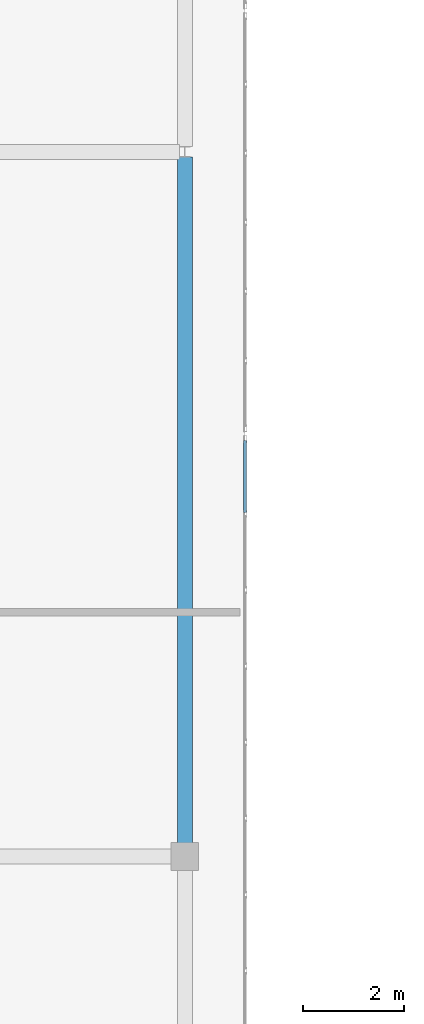
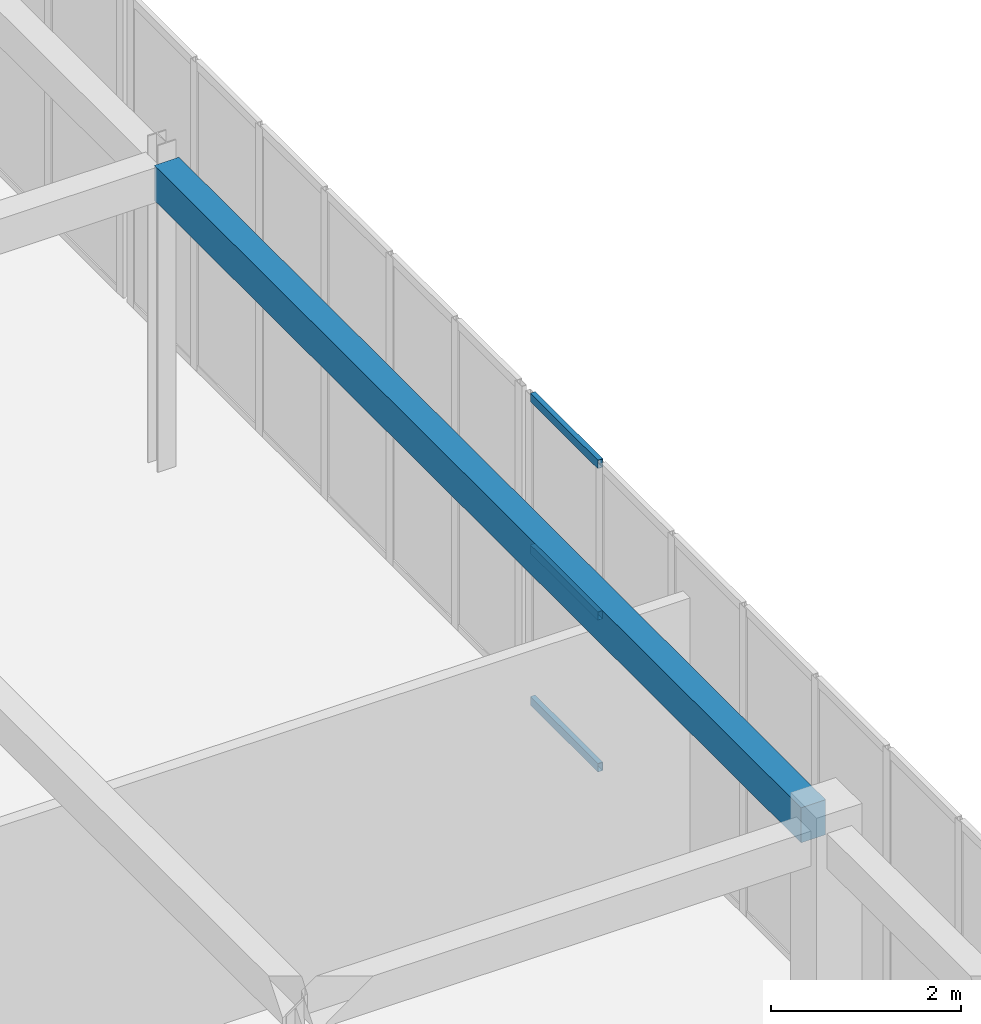
# One storey, part 74 of 140: 3 members, 1 beam, 1 element without a shape of its own.
"""IFC4 building model written with IfcOpenShell, lengths in metres."""

from ifc_helpers import new_model, si_unit, direction, frame, origin, origin_2d, place, context, subcontext, project, spatial, rectangle, hollow_rectangle, extrude, material, layer, layer_set, material_profile, profile_set, type_object, element, aggregate, save


model = new_model("IFC4")

# Units and contexts
model_context = context("Model", 3, precision=1e-05, world=origin(), true_north=direction((0.0, 1.0)))
body_context = subcontext(model_context, "Body", "Model", "MODEL_VIEW")
ifc_project = project(units=[si_unit("LENGTHUNIT", "METRE"), si_unit("AREAUNIT", "SQUARE_METRE"), si_unit("VOLUMEUNIT", "CUBIC_METRE"), si_unit("PLANEANGLEUNIT", "RADIAN"), si_unit("MASSUNIT", "GRAM", prefix="KILO")], contexts=[model_context])

# Site, building, storey
site_placement = place(None, origin())
site = spatial("IfcSite", under=ifc_project, at=site_placement, CompositionType="ELEMENT")
building_placement = place(site_placement, origin())
building = spatial("IfcBuilding", under=site, at=building_placement, Name="Trelvath General Hospital", CompositionType="ELEMENT")
storey_placement = place(building_placement, frame((0.0, 0.0, 16.199951171875)))
storey = spatial("IfcBuildingStorey", under=building, at=storey_placement, Name="L04", CompositionType="ELEMENT", Elevation=16.199951171875)

# Beam
ifc_material_1 = material(Name="Concrete C35/45", Category="concrete")
ifc_material_profile_1 = material_profile(ifc_material_1, rectangle(XDim=0.300048828125, YDim=0.449951171875, at=origin_2d()), Name="RCB300x450")
ifc_profile_set_1 = profile_set([ifc_material_profile_1], Name="Concrete C35/45")
beam_type = type_object("IfcBeamType", Name="Beam RC300x450", PredefinedType="BEAM", material=ifc_profile_set_1)
beam_placement = place(storey_placement, frame((113.60009765625, 59.071044921875, 3.735107421875), z_axis=(0.0, 1.0, 0.0), x_axis=(-1.0, 0.0, 0.0)))
element("IfcBeam", 1, at=beam_placement, inside=storey, type_object=beam_type, Name="Cube Interior Ring Beam CUBE-E-T1 L04", PredefinedType="BEAM", context=body_context, shape_type="SweptSolid", body=[
    extrude(rectangle(XDim=0.300048828125, YDim=0.449951171875, at=origin_2d()), origin(), (0.0, 0.0, 1.0), 13.623046875),
])

# Curtain wall, members
ifc_material_2 = material(Name="Anodised aluminium and low-E glass", Category="aluminium")
ifc_layer = layer(ifc_material_2, 0.139892578125)
ifc_layer_set = layer_set([ifc_layer], Name="Anodised aluminium and low-E glass")
curtain_wall_type = type_object("IfcCurtainWallType", Name="CW CrystalCube 1664 396 14", PredefinedType="USERDEFINED", material=ifc_layer_set)
curtain_wall_placement = place(storey_placement, origin())
curtain_wall = element("IfcCurtainWall", 2, at=curtain_wall_placement, inside=storey, type_object=curtain_wall_type, Name="Crystal Cube Curtain Wall CUBE-E-T1 E3 L04", ObjectType="Unitised Glazed Curtain Wall", PredefinedType="USERDEFINED")
ifc_material_3 = material(Name="Anodised aluminium", Category="aluminium")
ifc_material_profile_2 = material_profile(ifc_material_3, hollow_rectangle(XDim=0.06005859375, YDim=0.110107421875, WallThickness=0.00390625, at=origin_2d()), Name="RHS60x110x4")
ifc_profile_set_2 = profile_set([ifc_material_profile_2], Name="Anodised aluminium")
member_type = type_object("IfcMemberType", Name="CurtainTransom 60x110", PredefinedType="USERDEFINED", material=ifc_profile_set_2)
member_1_placement = place(storey_placement, frame((114.800048828125, 67.06005859375, 0.030029296875), z_axis=(0.0, -1.0, 0.0), x_axis=(1.0, 0.0, 0.0)))
member_1 = element("IfcMember", 3, at=member_1_placement, type_object=member_type, Name="CW-291 transom 1.1", ObjectType="TRANSOM", PredefinedType="USERDEFINED", context=body_context, shape_type="SweptSolid", body=[
    extrude(hollow_rectangle(XDim=0.06005859375, YDim=0.110107421875, WallThickness=0.00390625, at=origin_2d()), origin(), (0.0, 0.0, 1.0), 1.4228515625),
])
member_2_placement = place(storey_placement, frame((114.800048828125, 67.06005859375, 1.97998046875), z_axis=(0.0, -1.0, 0.0), x_axis=(1.0, 0.0, 0.0)))
member_2 = element("IfcMember", 4, at=member_2_placement, type_object=member_type, Name="CW-291 transom 1.2", ObjectType="TRANSOM", PredefinedType="USERDEFINED", context=body_context, shape_type="SweptSolid", body=[
    extrude(hollow_rectangle(XDim=0.06005859375, YDim=0.110107421875, WallThickness=0.00390625, at=origin_2d()), origin(), (0.0, 0.0, 1.0), 1.4228515625),
])
member_3_placement = place(storey_placement, frame((114.800048828125, 67.06005859375, 3.929931640625), z_axis=(0.0, -1.0, 0.0), x_axis=(1.0, 0.0, 0.0)))
member_3 = element("IfcMember", 5, at=member_3_placement, type_object=member_type, Name="CW-291 transom 1.3", ObjectType="TRANSOM", PredefinedType="USERDEFINED", context=body_context, shape_type="SweptSolid", body=[
    extrude(hollow_rectangle(XDim=0.06005859375, YDim=0.110107421875, WallThickness=0.00390625, at=origin_2d()), origin(), (0.0, 0.0, 1.0), 1.4228515625),
])
aggregate(curtain_wall, [member_1, member_2, member_3])

save(model, "model.ifc")
